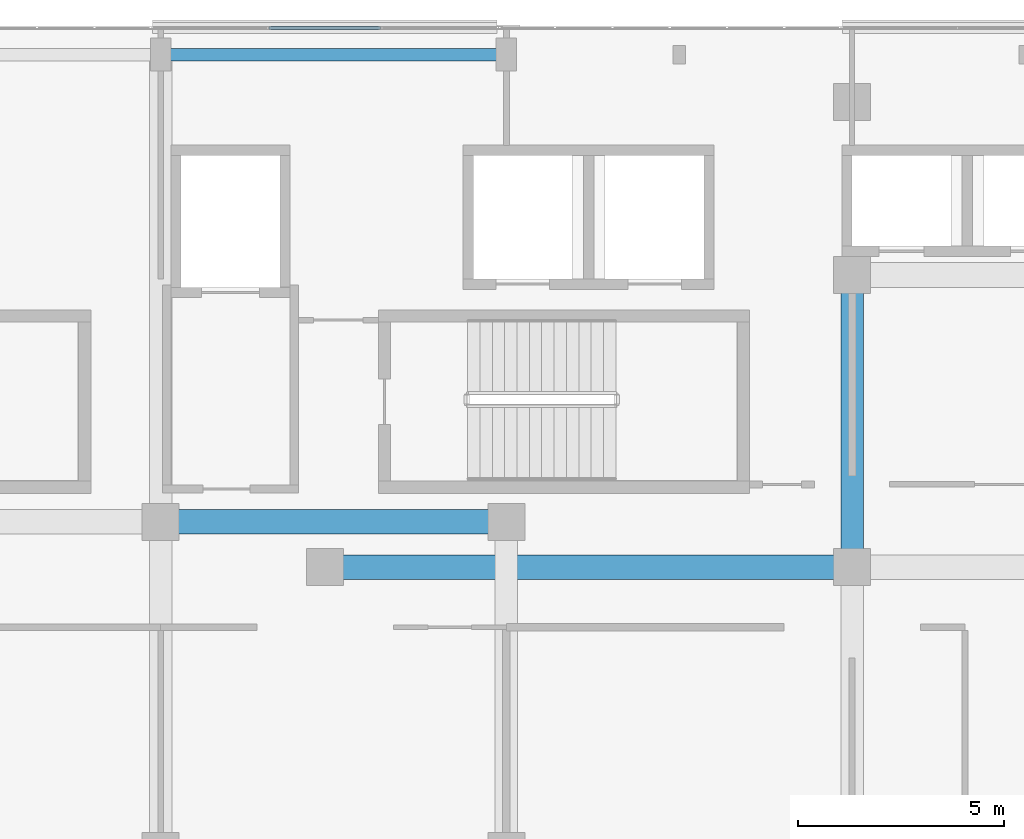
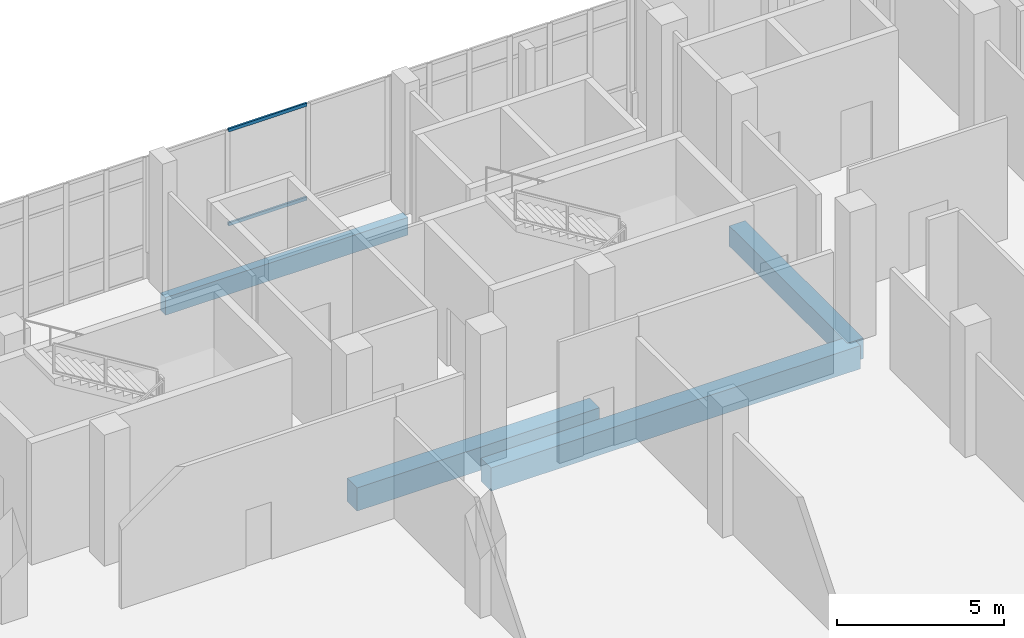
# One storey, part 96 of 168: 4 beams, 2 members, 1 element without a shape of its own.
"""IFC4 building model written with IfcOpenShell, lengths in metres."""

import ifcopenshell
import ifcopenshell.guid

model = None  # the IFC model being written
_history = None  # IfcOwnerHistory: only IFC2X3 demands one
_inside = {}  # id of a spatial element -> (the spatial element, [elements in it])
_under = {}  # id of a project, library or spatial element -> (it, [spatial elements below it])
_declared = {}  # id of a project -> (the project, [libraries it declares])
_typed = {}  # id of a type object -> (the type object, [elements of that type])
_made_of = {}  # id of a material, layer set ... -> (it, [elements and type objects made of it])


def new_model(schema):
    """Start an empty IFC model of exactly this schema.

    Asked for "IFC4X3", IfcOpenShell would pick the latest addendum, in which some entities
    have other attributes; the version numbers below select the first issue.
    IFC2X3 requires an IfcOwnerHistory on every rooted entity: one is made here for all.
    """
    global model, _history
    if schema == "IFC4X3":
        model = ifcopenshell.file(schema_version=(4, 3, 0, 0))
    else:
        model = ifcopenshell.file(schema=schema)
    _inside.clear()
    _under.clear()
    _declared.clear()
    _typed.clear()
    _made_of.clear()
    _history = None
    if model.schema == "IFC2X3":
        org = make("IfcOrganization", Name="unknown")
        user = make(
            "IfcPersonAndOrganization",
            ThePerson=make("IfcPerson", FamilyName="unknown"),
            TheOrganization=org,
        )
        app = make(
            "IfcApplication",
            ApplicationDeveloper=org,
            Version="unknown",
            ApplicationFullName="unknown",
            ApplicationIdentifier="unknown",
        )
        _history = make(
            "IfcOwnerHistory",
            OwningUser=user,
            OwningApplication=app,
            ChangeAction="ADDED",
            CreationDate=0,
        )
    return model


def make(cls, **values):
    """One entity of the class cls with the attributes given. An attribute that is None is left unset."""
    return model.create_entity(
        cls, **{name: value for name, value in values.items() if value is not None}
    )


def rooted(cls, **values):
    """An entity with a GlobalId (a new one), such as an element, a storey or a relation."""
    return make(cls, GlobalId=ifcopenshell.guid.new(), OwnerHistory=_history, **values)


def si_unit(unit_type, name, prefix=None):
    """IfcSIUnit, for example si_unit("LENGTHUNIT", "METRE", prefix="MILLI")."""
    return make("IfcSIUnit", UnitType=unit_type, Prefix=prefix, Name=name)


def assignment(units):
    """IfcUnitAssignment: the units of a project."""
    return None if units is None else make("IfcUnitAssignment", Units=units)


def point(xyz):
    """IfcCartesianPoint."""
    return None if xyz is None else make("IfcCartesianPoint", Coordinates=xyz)


def direction(xyz):
    """IfcDirection."""
    return None if xyz is None else make("IfcDirection", DirectionRatios=xyz)


def frame(location, z_axis=None, x_axis=None):
    """IfcAxis2Placement3D, a coordinate frame: its origin and axes. An axis left out is left unset."""
    return make(
        "IfcAxis2Placement3D",
        Location=point(location),
        Axis=direction(z_axis),
        RefDirection=direction(x_axis),
    )


def frame_2d(location, x_axis=None):
    """IfcAxis2Placement2D, a coordinate frame in the plane: its origin and x axis."""
    return make(
        "IfcAxis2Placement2D", Location=point(location), RefDirection=direction(x_axis)
    )


def origin():
    """The frame at (0, 0, 0) with its axes left unset."""
    return frame((0.0, 0.0, 0.0))


def origin_2d():
    """The frame at (0, 0) in the plane with its x axis left unset."""
    return frame_2d((0.0, 0.0))


def place(relative_to, where):
    """IfcLocalPlacement: puts the frame where relative to a parent placement (None: the world)."""
    return make(
        "IfcLocalPlacement", PlacementRelTo=relative_to, RelativePlacement=where
    )


def context(
    kind, dimensions, precision=None, world=None, true_north=None, identifier=None
):
    """IfcGeometricRepresentationContext, for example the 3D "Model" context."""
    return make(
        "IfcGeometricRepresentationContext",
        ContextIdentifier=identifier,
        ContextType=kind,
        CoordinateSpaceDimension=dimensions,
        Precision=precision,
        WorldCoordinateSystem=world,
        TrueNorth=true_north,
    )


def subcontext(parent, identifier, kind, view, scale=None):
    """IfcGeometricRepresentationSubContext, for example "Body" below "Model"."""
    return make(
        "IfcGeometricRepresentationSubContext",
        ContextIdentifier=identifier,
        ContextType=kind,
        ParentContext=parent,
        TargetScale=scale,
        TargetView=view,
    )


def project(units=None, contexts=None):
    """IfcProject with its units and contexts."""
    return rooted(
        "IfcProject",
        Name="project",
        RepresentationContexts=contexts,
        UnitsInContext=assignment(units),
    )


def spatial(cls, under=None, at=None, **own):
    """A site, building, storey or space (cls), placed at a placement, below another one or the project."""
    s = rooted(cls, ObjectPlacement=at, **own)
    if under is not None:
        _under.setdefault(under.id(), (under, []))[1].append(s)
    return s


def profile(cls, at=None, kind="AREA", **sizes):
    """A parametric profile (cls). Its sizes go by their IFC names, for example OverallWidth=200.0."""
    return make(cls, ProfileType=kind, Position=at, **sizes)


def rectangle(**sizes):
    """IfcRectangleProfileDef."""
    return profile("IfcRectangleProfileDef", **sizes)


def hollow_rectangle(**sizes):
    """IfcRectangleHollowProfileDef."""
    return profile("IfcRectangleHollowProfileDef", **sizes)


def extrude(swept, where, along, depth):
    """IfcExtrudedAreaSolid: the profile swept, set in the frame where, extruded along a direction by depth."""
    return make(
        "IfcExtrudedAreaSolid",
        SweptArea=swept,
        Position=where,
        ExtrudedDirection=direction(along),
        Depth=depth,
    )


def shape(context_of_items, identifier, shape_type, items):
    """IfcShapeRepresentation: the items that make up one representation, for example the "Body"."""
    return make(
        "IfcShapeRepresentation",
        ContextOfItems=context_of_items,
        RepresentationIdentifier=identifier,
        RepresentationType=shape_type,
        Items=items,
    )


def material(Name=None, Category=None):
    """IfcMaterial."""
    return make("IfcMaterial", Name=Name, Category=Category)


def material_profile(
    of_material, cross_section, Name=None, Category=None, Priority=None
):
    """IfcMaterialProfile: a cross section and its material."""
    return make(
        "IfcMaterialProfile",
        Name=Name,
        Material=of_material,
        Profile=cross_section,
        Priority=Priority,
        Category=Category,
    )


def profile_set(profiles, Name=None, composite=None):
    """IfcMaterialProfileSet."""
    return make(
        "IfcMaterialProfileSet",
        Name=Name,
        MaterialProfiles=profiles,
        CompositeProfile=composite,
    )


def made_of(thing, what):
    """Note that an element or type object is made of a material, layer set ...; save() writes the relation."""
    if what is not None:
        _made_of.setdefault(what.id(), (what, []))[1].append(thing)
    return thing


def type_object(cls, material=None, **own):
    """A type object (cls), such as IfcWallType, which elements share."""
    return made_of(rooted(cls, **own), material)


def element(
    cls,
    number,
    at=None,
    inside=None,
    cuts=None,
    type_object=None,
    material=None,
    context=None,
    identifier="Body",
    shape_type=None,
    held_by="IfcProductDefinitionShape",
    body=None,
    shapes=None,
    **own,
):
    """One element of the class cls, such as IfcWall. Its Tag is "e" and its number.

    at: its placement. inside: the storey or other place that contains it. cuts: it is an
    opening in that element (IfcRelVoidsElement). A single representation is given by context,
    identifier, shape_type and body (its items); several are given by shapes. held_by: the class
    of the entity that holds the representations. save() writes the other relations.
    """
    e = rooted(cls, Tag="e%d" % number, ObjectPlacement=at, **own)
    if body is not None:
        shapes = [shape(context, identifier, shape_type, body)]
    if shapes is not None:
        e.Representation = make(held_by, Representations=shapes)
    if inside is not None:
        _inside.setdefault(inside.id(), (inside, []))[1].append(e)
    if cuts is not None:
        rooted(
            "IfcRelVoidsElement", RelatingBuildingElement=cuts, RelatedOpeningElement=e
        )
    if type_object is not None:
        _typed.setdefault(type_object.id(), (type_object, []))[1].append(e)
    return made_of(e, material)


def aggregate(whole, parts):
    """IfcRelAggregates: a whole, such as a stair, and the parts it consists of."""
    return rooted("IfcRelAggregates", RelatingObject=whole, RelatedObjects=parts)


def save(model, path):
    """Write the relations noted so far, then the file.

    IfcRelAggregates (storeys below a building ...), IfcRelContainedInSpatialStructure (elements
    in a storey), IfcRelDefinesByType, IfcRelAssociatesMaterial and IfcRelDeclares: one each for
    every whole, place, type object, material and project.
    """
    for whole, parts in _under.values():
        aggregate(whole, parts)
    for where, things in _inside.values():
        rooted(
            "IfcRelContainedInSpatialStructure",
            RelatedElements=things,
            RelatingStructure=where,
        )
    for kind, things in _typed.values():
        rooted("IfcRelDefinesByType", RelatedObjects=things, RelatingType=kind)
    for what, things in _made_of.values():
        rooted("IfcRelAssociatesMaterial", RelatedObjects=things, RelatingMaterial=what)
    for by, libraries in _declared.values():
        rooted("IfcRelDeclares", RelatingContext=by, RelatedDefinitions=libraries)
    model.write(path)


model = new_model("IFC4")

# Units and contexts
model_context = context("Model", 3, precision=1e-05, world=origin(), true_north=direction((0.0, 1.0)))
body_context = subcontext(model_context, "Body", "Model", "MODEL_VIEW")
ifc_project = project(units=[si_unit("LENGTHUNIT", "METRE"), si_unit("AREAUNIT", "SQUARE_METRE"), si_unit("VOLUMEUNIT", "CUBIC_METRE"), si_unit("PLANEANGLEUNIT", "RADIAN"), si_unit("MASSUNIT", "GRAM", prefix="KILO")], contexts=[model_context])

# Site, building, storey
site_placement = place(None, origin())
site = spatial("IfcSite", under=ifc_project, at=site_placement, CompositionType="ELEMENT")
building_placement = place(site_placement, origin())
building = spatial("IfcBuilding", under=site, at=building_placement, Name="Selatvlak General Hospital", CompositionType="ELEMENT")
storey_placement = place(building_placement, frame((0.0, 0.0, 5.39990234375)))
storey = spatial("IfcBuildingStorey", under=building, at=storey_placement, Name="L01", CompositionType="ELEMENT", Elevation=5.39990234375)

# Beams
ifc_material_1 = material(Name="Concrete C40/50", Category="concrete")
ifc_material_profile_1 = material_profile(ifc_material_1, rectangle(XDim=0.60009765625, YDim=0.85009765625, at=origin_2d()), Name="RC-BM 600x850")
ifc_profile_set_1 = profile_set([ifc_material_profile_1], Name="Concrete C40/50")
beam_type_1 = type_object("IfcBeamType", Name="BM-G01", PredefinedType="BEAM", material=ifc_profile_set_1)
beam_1_placement = place(storey_placement, frame((102.39990234375, 106.89990234375, -0.744873046875), z_axis=(1.0, 0.0, 0.0), x_axis=(0.0, 1.0, 0.0)))
element("IfcBeam", 1, at=beam_1_placement, inside=storey, type_object=beam_type_1, Name="Beam BMR-L01-0495", PredefinedType="BEAM", context=body_context, shape_type="SweptSolid", body=[
    extrude(rectangle(XDim=0.60009765625, YDim=0.85009765625, at=origin_2d()), origin(), (0.0, 0.0, 1.0), 12.800048828125),
])
beam_2_placement = place(storey_placement, frame((98.39990234375, 108.0, -0.744873046875), z_axis=(1.0, 0.0, 0.0), x_axis=(0.0, 1.0, 0.0)))
element("IfcBeam", 2, at=beam_2_placement, inside=storey, type_object=beam_type_1, Name="Beam BMR-L01-0505", PredefinedType="BEAM", context=body_context, shape_type="SweptSolid", body=[
    extrude(rectangle(XDim=0.60009765625, YDim=0.85009765625, at=origin_2d()), origin(), (0.0, 0.0, 1.0), 8.400146484375),
])
ifc_material_profile_2 = material_profile(ifc_material_1, rectangle(XDim=0.550048828125, YDim=0.75, at=origin_2d()), Name="RC-BM 550x750")
ifc_profile_set_2 = profile_set([ifc_material_profile_2], Name="Concrete C40/50")
beam_type_2 = type_object("IfcBeamType", Name="BM-G02", PredefinedType="BEAM", material=ifc_profile_set_2)
beam_3_placement = place(storey_placement, frame((115.199951171875, 106.89990234375, -0.69482421875), z_axis=(0.0, 1.0, 0.0), x_axis=(-1.0, 0.0, 0.0)))
element("IfcBeam", 3, at=beam_3_placement, inside=storey, type_object=beam_type_2, Name="Beam BMR-L01-0622", PredefinedType="BEAM", context=body_context, shape_type="SweptSolid", body=[
    extrude(rectangle(XDim=0.550048828125, YDim=0.75, at=origin_2d()), origin(), (0.0, 0.0, 1.0), 7.10009765625),
])
ifc_material_profile_3 = material_profile(ifc_material_1, rectangle(XDim=0.300048828125, YDim=0.64990234375, at=origin_2d()), Name="RC-SP 300x650")
ifc_profile_set_3 = profile_set([ifc_material_profile_3], Name="Concrete C40/50")
beam_type_3 = type_object("IfcBeamType", Name="BM-SP1", PredefinedType="SPANDREL", material=ifc_profile_set_3)
beam_4_placement = place(storey_placement, frame((98.39990234375, 119.35009765625, -0.64501953125), z_axis=(1.0, 0.0, 0.0), x_axis=(0.0, 1.0, 0.0)))
element("IfcBeam", 4, at=beam_4_placement, inside=storey, type_object=beam_type_3, Name="Beam BMR-L01-0532", PredefinedType="SPANDREL", context=body_context, shape_type="SweptSolid", body=[
    extrude(rectangle(XDim=0.300048828125, YDim=0.64990234375, at=origin_2d()), origin(), (0.0, 0.0, 1.0), 8.400146484375),
])

# Curtain wall, members
ifc_material_2 = material(Name="Solar-control Low-E double glazing", Category="glass")
curtain_wall_type = type_object("IfcCurtainWallType", Name="CW-CW-01", PredefinedType="USERDEFINED", material=ifc_material_2)
curtain_wall_placement = place(storey_placement, origin())
curtain_wall = element("IfcCurtainWall", 5, at=curtain_wall_placement, inside=storey, type_object=curtain_wall_type, Name="Glazed facade curtain wall CW-L01-0122", ObjectType="UNITISED CURTAIN WALL", PredefinedType="USERDEFINED")
ifc_material_3 = material(Name="Dark anodised aluminium mullion", Category="aluminium")
ifc_material_profile_4 = material_profile(ifc_material_3, hollow_rectangle(XDim=0.06494140625, YDim=0.1201171875, WallThickness=0.00390625, at=origin_2d()), Name="AL-TRN 65x120x4")
ifc_profile_set_4 = profile_set([ifc_material_profile_4], Name="Dark anodised aluminium mullion")
member_type = type_object("IfcMemberType", Name="CWT-01", PredefinedType="USERDEFINED", material=ifc_profile_set_4)
member_1_placement = place(storey_placement, frame((101.030517578125, 119.999267578125, 0.97265625), z_axis=(0.999999983864, 0.000179646094, 0.0), x_axis=(-0.000179646094, 0.999999983864, 0.0)))
member_1 = element("IfcMember", 6, at=member_1_placement, type_object=member_type, Name="CW-01 transom 2.1", ObjectType="TRANSOM", PredefinedType="USERDEFINED", context=body_context, shape_type="SweptSolid", body=[
    extrude(hollow_rectangle(XDim=0.06494140625, YDim=0.1201171875, WallThickness=0.00390625, at=origin_2d()), origin(), (0.0, 0.0, 1.0), 2.718017578125),
])
member_2_placement = place(storey_placement, frame((101.030517578125, 119.999267578125, 4.41259765625), z_axis=(0.999999983864, 0.000179646094, 0.0), x_axis=(-0.000179646094, 0.999999983864, 0.0)))
member_2 = element("IfcMember", 7, at=member_2_placement, type_object=member_type, Name="CW-01 transom 2.2", ObjectType="TRANSOM", PredefinedType="USERDEFINED", context=body_context, shape_type="SweptSolid", body=[
    extrude(hollow_rectangle(XDim=0.06494140625, YDim=0.1201171875, WallThickness=0.00390625, at=origin_2d()), origin(), (0.0, 0.0, 1.0), 2.718017578125),
])
aggregate(curtain_wall, [member_1, member_2])

save(model, "model.ifc")
